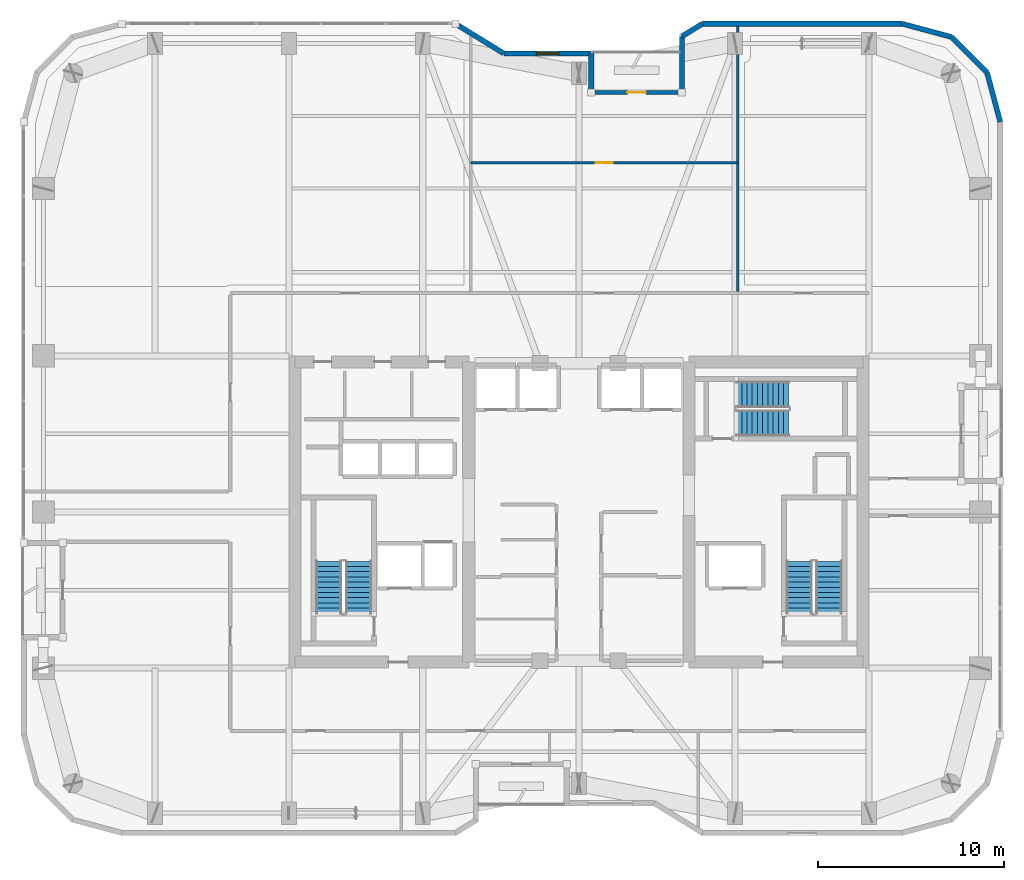
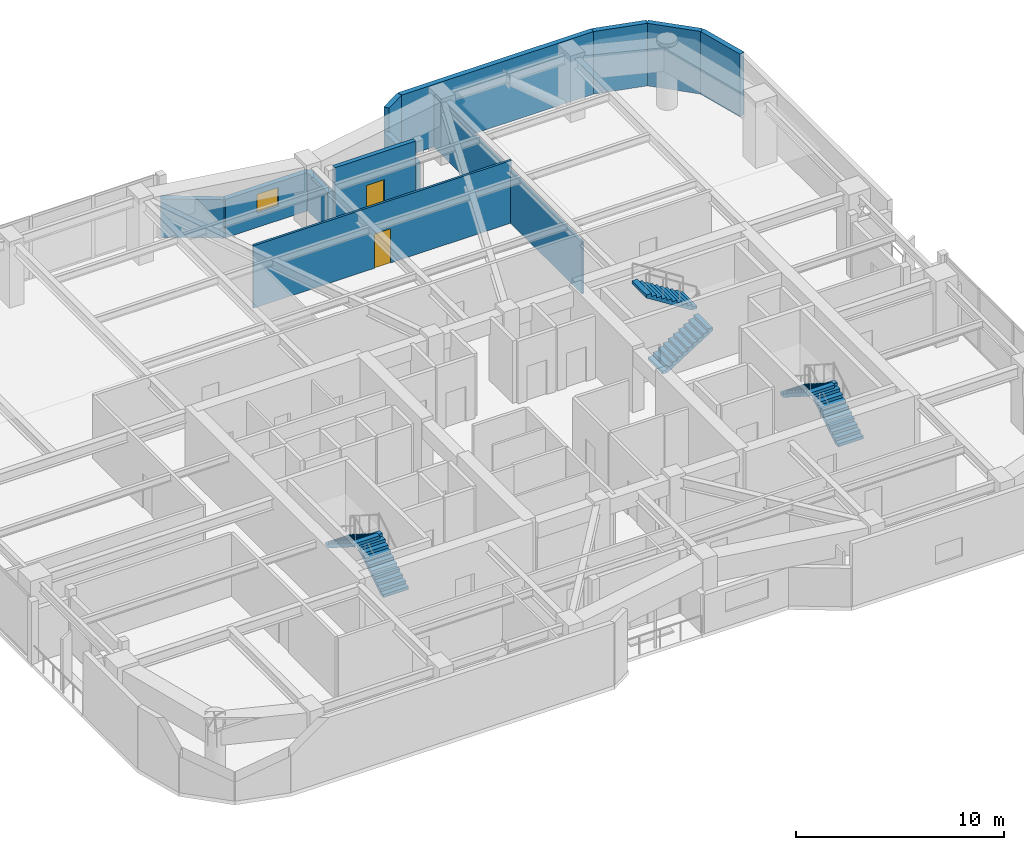
# One storey, part 27 of 30: 12 walls, 6 stair flights, 2 doors, 1 window, 3 openings, 3 elements without a shape of their own.
"""IFC4 building model written with IfcOpenShell, lengths in metres."""

from ifc_helpers import new_model, si_unit, direction, frame, frame_2d, origin, place, context, subcontext, project, spatial, polyline, rectangle, outline, extrude, material, layer, layer_set, type_object, element, fill, aggregate, save


model = new_model("IFC4")

# Units and contexts
model_context = context("Model", 3, precision=1e-05, world=origin(), true_north=direction((0.0, 1.0)))
body_context = subcontext(model_context, "Body", "Model", "MODEL_VIEW")
ifc_project = project(units=[si_unit("LENGTHUNIT", "METRE"), si_unit("AREAUNIT", "SQUARE_METRE"), si_unit("VOLUMEUNIT", "CUBIC_METRE"), si_unit("PLANEANGLEUNIT", "RADIAN"), si_unit("MASSUNIT", "GRAM", prefix="KILO")], contexts=[model_context])

# Site, building, storey
site_placement = place(None, origin())
site = spatial("IfcSite", under=ifc_project, at=site_placement, CompositionType="ELEMENT")
building_placement = place(site_placement, origin())
building = spatial("IfcBuilding", under=site, at=building_placement, Name="Kiyonajd Concourse Tower", CompositionType="ELEMENT")
storey_placement = place(building_placement, frame((0.0, 0.0, 198.0)))
storey = spatial("IfcBuildingStorey", under=building, at=storey_placement, Name="L50", CompositionType="ELEMENT", Elevation=198.0)

# Wall
ifc_material_1 = material(Name="Precast concrete C50/60", Category="concrete")
ifc_layer_1 = layer(ifc_material_1, 0.280029296875)
ifc_layer_set_1 = layer_set([ifc_layer_1], Name="Precast concrete C50/60")
wall_type_1 = type_object("IfcWallType", Name="WL-EXT-280", PredefinedType="SOLIDWALL", material=ifc_layer_set_1)
wall_1_placement = place(storey_placement, frame((41.3603515625, 62.260009765625, 0.0), z_axis=(0.0, 0.0, 1.0), x_axis=(0.851652825334, -0.524106349037, 0.0)))
element("IfcWall", 1, at=wall_1_placement, inside=storey, type_object=wall_type_1, Name="L50 Exterior Concrete Frame Wall 10", PredefinedType="SOLIDWALL", context=body_context, shape_type="SweptSolid", body=[
    extrude(rectangle(XDim=3.052978515625, YDim=0.280029296875, at=frame_2d((1.5263671875, 0.0))), origin(), (0.0, 0.0, 1.0), 2.264892578125),
])

# Wall, opening, window
wall_2_placement = place(storey_placement, frame((43.96044921875, 60.659912109375, 0.0), z_axis=(0.0, 0.0, 1.0), x_axis=(1.0, 0.0, 0.0)))
wall_2 = element("IfcWall", 2, at=wall_2_placement, inside=storey, type_object=wall_type_1, Name="L50 Exterior Concrete Frame Wall 11", PredefinedType="SOLIDWALL", context=body_context, shape_type="SweptSolid", body=[
    extrude(rectangle(XDim=4.699462890625, YDim=0.280029296875, at=frame_2d((2.349609375, 0.0))), origin(), (0.0, 0.0, 1.0), 2.264892578125),
])
opening_1_placement = place(wall_2_placement, frame((1.75, 0.0, 0.85009765625)))
opening_1 = element("IfcOpeningElement", 3, at=opening_1_placement, cuts=wall_2, Name="Opening WN3", PredefinedType="OPENING", context=body_context, shape_type="SweptSolid", body=[
    extrude(rectangle(XDim=1.199951171875, YDim=1.10009765625, at=frame_2d((0.60009765625, 0.550048828125))), frame((0.0, 0.14990234375, 0.0), z_axis=(0.0, -1.0, 0.0), x_axis=(1.0, 0.0, 0.0)), (0.0, 0.0, 1.0), 0.300048828125),
])
ifc_material_2 = material(Name="Double Low-E Insulated Glass", Category="glass")
window_type = type_object("IfcWindowType", Name="WN-VIS-1200x1100", PartitioningType="SINGLE_PANEL", PredefinedType="WINDOW", material=ifc_material_2)
window_placement = place(opening_1_placement, origin())
window = element("IfcWindow", 4, at=window_placement, inside=storey, type_object=window_type, Name="L50 Modular Facade Vision Window 11", OverallHeight=1.10009765625, OverallWidth=1.199951171875, PartitioningType="SINGLE_PANEL", PredefinedType="WINDOW", context=body_context, shape_type="SweptSolid", body=[
    extrude(rectangle(XDim=1.199951171875, YDim=1.10009765625, at=frame_2d((0.60009765625, 0.550048828125))), frame((0.0, 0.030029296875, 0.0), z_axis=(0.0, -1.0, 0.0), x_axis=(1.0, 0.0, 0.0)), (0.0, 0.0, 1.0), 0.06005859375),
])
fill(opening_1, window)

# Walls
wall_3_placement = place(storey_placement, frame((48.659912109375, 60.659912109375, 0.0), z_axis=(0.0, 0.0, 1.0), x_axis=(0.0, -1.0, 0.0)))
element("IfcWall", 5, at=wall_3_placement, inside=storey, type_object=wall_type_1, Name="L50 Exterior Concrete Frame Wall 12", PredefinedType="SOLIDWALL", context=body_context, shape_type="SweptSolid", body=[
    extrude(rectangle(XDim=2.099853515625, YDim=0.280029296875, at=frame_2d((1.0498046875, 0.0))), origin(), (0.0, 0.0, 1.0), 2.264892578125),
])
wall_4_placement = place(storey_placement, frame((53.5400390625, 58.56005859375, 0.0), z_axis=(0.0, 0.0, 1.0), x_axis=(0.0, 1.0, 0.0)))
element("IfcWall", 6, at=wall_4_placement, inside=storey, type_object=wall_type_1, Name="L50 Exterior Concrete Frame Wall 14", PredefinedType="SOLIDWALL", context=body_context, shape_type="SweptSolid", body=[
    extrude(rectangle(XDim=3.023681640625, YDim=0.280029296875, at=frame_2d((1.51171875, 0.0))), origin(), (0.0, 0.0, 1.0), 2.264892578125),
])
wall_5_placement = place(storey_placement, frame((53.5400390625, 61.583740234375, 0.0), z_axis=(0.0, 0.0, 1.0), x_axis=(0.851801140441, 0.523865266212, 0.0)))
element("IfcWall", 7, at=wall_5_placement, inside=storey, type_object=wall_type_1, Name="L50 Exterior Concrete Frame Wall 15", PredefinedType="SOLIDWALL", context=body_context, shape_type="SweptSolid", body=[
    extrude(rectangle(XDim=1.291015625, YDim=0.280029296875, at=frame_2d((0.6455078125, 0.0))), origin(), (0.0, 0.0, 1.0), 3.679931640625),
])
wall_6_placement = place(storey_placement, frame((54.6396484375, 62.260009765625, 0.0), z_axis=(0.0, 0.0, 1.0), x_axis=(1.0, 0.0, 0.0)))
element("IfcWall", 8, at=wall_6_placement, inside=storey, type_object=wall_type_1, Name="L50 Exterior Concrete Frame Wall 16", PredefinedType="SOLIDWALL", context=body_context, shape_type="SweptSolid", body=[
    extrude(rectangle(XDim=10.741943359375, YDim=0.280029296875, at=frame_2d((5.37109375, 0.0))), origin(), (0.0, 0.0, 1.0), 3.679931640625),
])
wall_7_placement = place(storey_placement, frame((65.381591796875, 62.260009765625, 0.0), z_axis=(0.0, 0.0, 1.0), x_axis=(0.965971118627, -0.258649952598, 0.0)))
element("IfcWall", 9, at=wall_7_placement, inside=storey, type_object=wall_type_1, Name="L50 Exterior Concrete Frame Wall 17", PredefinedType="SOLIDWALL", context=body_context, shape_type="SweptSolid", body=[
    extrude(rectangle(XDim=2.7392578125, YDim=0.280029296875, at=frame_2d((1.36962890625, 0.0))), origin(), (0.0, 0.0, 1.0), 3.679931640625),
])
wall_8_placement = place(storey_placement, frame((68.027587890625, 61.551513671875, 0.0), z_axis=(0.0, 0.0, 1.0), x_axis=(0.707061915429, -0.707151644098, 0.0)))
element("IfcWall", 10, at=wall_8_placement, inside=storey, type_object=wall_type_1, Name="L50 Exterior Concrete Frame Wall 18", PredefinedType="SOLIDWALL", context=body_context, shape_type="SweptSolid", body=[
    extrude(rectangle(XDim=2.720947265625, YDim=0.280029296875, at=frame_2d((1.3603515625, 0.0))), origin(), (0.0, 0.0, 1.0), 3.679931640625),
])
wall_9_placement = place(storey_placement, frame((69.951416015625, 59.62744140625, 0.0), z_axis=(0.0, 0.0, 1.0), x_axis=(0.258672222976, -0.9659651552, 0.0)))
element("IfcWall", 11, at=wall_9_placement, inside=storey, type_object=wall_type_1, Name="L50 Exterior Concrete Frame Wall 19", PredefinedType="SOLIDWALL", context=body_context, shape_type="SweptSolid", body=[
    extrude(rectangle(XDim=2.739013671875, YDim=0.280029296875, at=frame_2d((1.36962890625, 0.0))), origin(), (0.0, 0.0, 1.0), 3.679931640625),
])

# Wall, opening, door
ifc_layer_2 = layer(ifc_material_1, 0.239990234375)
ifc_layer_set_2 = layer_set([ifc_layer_2], Name="Precast concrete C50/60")
wall_type_2 = type_object("IfcWallType", Name="WL-LOG-240", PredefinedType="SOLIDWALL", material=ifc_layer_set_2)
wall_10_placement = place(storey_placement, frame((48.85498046875, 58.56005859375, 0.0), z_axis=(0.0, 0.0, 1.0), x_axis=(1.0, 0.0, 0.0)))
wall_10 = element("IfcWall", 12, at=wall_10_placement, inside=storey, type_object=wall_type_2, Name="L50 Recessed Loggia Thermal Wall LOG-N", PredefinedType="SOLIDWALL", context=body_context, shape_type="SweptSolid", body=[
    extrude(rectangle(XDim=4.489990234375, YDim=0.239990234375, at=frame_2d((2.2451171875, 0.0))), origin(), (0.0, 0.0, 1.0), 3.679931640625),
])
opening_2_placement = place(wall_10_placement, frame((1.7451171875, 0.0, 0.0)))
opening_2 = element("IfcOpeningElement", 13, at=opening_2_placement, cuts=wall_10, Name="Opening DL1", PredefinedType="OPENING", context=body_context, shape_type="SweptSolid", body=[
    extrude(rectangle(XDim=1.0, YDim=2.02001953125, at=frame_2d((0.5, 1.010009765625))), frame((0.0, 0.1298828125, 0.0), z_axis=(0.0, -1.0, 0.0), x_axis=(1.0, 0.0, 0.0)), (0.0, 0.0, 1.0), 0.260009765625),
])
ifc_material_3 = material(Name="Thermally Broken Anodised Aluminium", Category="aluminium")
door_type_1 = type_object("IfcDoorType", Name="DR-LOG-1000", OperationType="NOTDEFINED", PredefinedType="DOOR", material=ifc_material_3)
door_1_placement = place(opening_2_placement, origin())
door_1 = element("IfcDoor", 14, at=door_1_placement, inside=storey, type_object=door_type_1, Name="L50 Engawa Loggia Access Door LOG-N", OperationType="SINGLE_SWING_RIGHT", OverallHeight=2.02001953125, OverallWidth=1.0, PredefinedType="DOOR", context=body_context, shape_type="SweptSolid", body=[
    extrude(rectangle(XDim=1.0, YDim=2.02001953125, at=frame_2d((0.5, 1.010009765625))), frame((0.0, 0.02490234375, 0.0), z_axis=(0.0, -1.0, 0.0), x_axis=(1.0, 0.0, 0.0)), (0.0, 0.0, 1.0), 0.050048828125),
])
fill(opening_2, door_1)

ifc_material_4 = material(Name="Gypsum Board on Cold-Formed Steel Stud", Category="steel")
ifc_layer_3 = layer(ifc_material_4, 0.125)
ifc_layer_set_3 = layer_set([ifc_layer_3], Name="Gypsum Board on Cold-Formed Steel Stud")
wall_type_3 = type_object("IfcWallType", Name="WL-PART-125", PredefinedType="PARTITIONING", material=ifc_layer_set_3)
wall_11_placement = place(storey_placement, frame((42.179931640625, 54.7900390625, 0.0), z_axis=(0.0, 0.0, 1.0), x_axis=(1.0, 0.0, 0.0)))
wall_11 = element("IfcWall", 15, at=wall_11_placement, inside=storey, type_object=wall_type_3, Name="L50 Interior Partition Wall", PredefinedType="PARTITIONING", context=body_context, shape_type="SweptSolid", body=[
    extrude(rectangle(XDim=14.360107421875, YDim=0.125, at=frame_2d((7.18017578125, 0.0))), origin(), (0.0, 0.0, 1.0), 3.679931640625),
])
opening_3_placement = place(wall_11_placement, frame((6.72998046875, 0.0, 0.0)))
opening_3 = element("IfcOpeningElement", 16, at=opening_3_placement, cuts=wall_11, Name="Opening DI2", PredefinedType="OPENING", context=body_context, shape_type="SweptSolid", body=[
    extrude(rectangle(XDim=0.89990234375, YDim=2.02001953125, at=frame_2d((0.449951171875, 1.010009765625))), frame((0.0, 0.072509765625, 0.0), z_axis=(0.0, -1.0, 0.0), x_axis=(1.0, 0.0, 0.0)), (0.0, 0.0, 1.0), 0.14501953125),
])
ifc_material_5 = material(Name="Natural Oak Acoustic Timber Veneer", Category="wood")
door_type_2 = type_object("IfcDoorType", Name="DR-INT-900", OperationType="NOTDEFINED", PredefinedType="DOOR", material=ifc_material_5)
door_2_placement = place(opening_3_placement, origin())
door_2 = element("IfcDoor", 17, at=door_2_placement, inside=storey, type_object=door_type_2, Name="L50 Interior Door", OperationType="SINGLE_SWING_LEFT", OverallHeight=2.02001953125, OverallWidth=0.89990234375, PredefinedType="DOOR", context=body_context, shape_type="SweptSolid", body=[
    extrude(rectangle(XDim=0.89990234375, YDim=2.02001953125, at=frame_2d((0.449951171875, 1.010009765625))), frame((0.0, 0.02490234375, 0.0), z_axis=(0.0, -1.0, 0.0), x_axis=(1.0, 0.0, 0.0)), (0.0, 0.0, 1.0), 0.050048828125),
])
fill(opening_3, door_2)

# Wall
wall_12_placement = place(storey_placement, frame((56.5400390625, 47.85693359375, 0.0), z_axis=(0.0, 0.0, 1.0), x_axis=(0.0, 1.0, 0.0)))
element("IfcWall", 18, at=wall_12_placement, inside=storey, type_object=wall_type_3, Name="L50 Interior Partition Wall", PredefinedType="PARTITIONING", context=body_context, shape_type="SweptSolid", body=[
    extrude(rectangle(XDim=14.26806640625, YDim=0.125, at=frame_2d((7.134033203125, 0.0))), origin(), (0.0, 0.0, 1.0), 3.04296875),
])

# Stair, stair flights
ifc_material_6 = material(Name="Concrete C40/50", Category="concrete")
stair_type = type_object("IfcStairType", Name="ST-DLG-22R", PredefinedType="HALF_TURN_STAIR", material=ifc_material_6)
stair_1_placement = place(storey_placement, origin())
stair_1 = element("IfcStair", 19, at=stair_1_placement, inside=storey, type_object=stair_type, Name="L50 Protected Exit Stair ST1", PredefinedType="HALF_TURN_STAIR")
stair_flight_type = type_object("IfcStairFlightType", Name="SF-STR-22R", PredefinedType="STRAIGHT", material=ifc_material_6)
stair_flight_1_placement = place(storey_placement, frame((36.14990234375, 30.550048828125, 0.0), z_axis=(0.0, 0.0, 1.0), x_axis=(0.0, 1.0, 0.0)))
stair_flight_1 = element("IfcStairFlight", 20, at=stair_flight_1_placement, type_object=stair_flight_type, Name="ST1 flight 1", NumberOfRisers=11, NumberOfTreads=10, PredefinedType="STRAIGHT", RiserHeight=0.177272727, TreadLength=0.28, context=body_context, shape_type="SweptSolid", body=[
    extrude(outline(polyline([(0.0, 0.0), (0.0, 0.17724609375), (0.280029296875, 0.17724609375), (0.280029296875, 0.3544921875), (0.56005859375, 0.3544921875), (0.56005859375, 0.53173828125), (0.840087890625, 0.53173828125), (0.840087890625, 0.708984375), (1.1201171875, 0.708984375), (1.1201171875, 0.886474609375), (1.39990234375, 0.886474609375), (1.39990234375, 1.063720703125), (1.679931640625, 1.063720703125), (1.679931640625, 1.240966796875), (1.9599609375, 1.240966796875), (1.9599609375, 1.418212890625), (2.239990234375, 1.418212890625), (2.239990234375, 1.595458984375), (2.52001953125, 1.595458984375), (2.52001953125, 1.772705078125), (2.800048828125, 1.772705078125), (2.800048828125, 1.949951171875), (2.800048828125, 1.59521484375), (0.2802734375, 0.0), (0.0, 0.0)])), frame((0.0, 0.699951171875, 0.0), z_axis=(0.0, -1.0, 0.0), x_axis=(1.0, 0.0, 0.0)), (0.0, 0.0, 1.0), 1.39990234375),
])
stair_flight_2_placement = place(storey_placement, frame((34.550048828125, 33.35009765625, 1.949951171875), z_axis=(0.0, 0.0, 1.0), x_axis=(0.0, -1.0, 0.0)))
stair_flight_2 = element("IfcStairFlight", 21, at=stair_flight_2_placement, type_object=stair_flight_type, Name="ST1 flight 2", NumberOfRisers=11, NumberOfTreads=10, PredefinedType="STRAIGHT", RiserHeight=0.177272727, TreadLength=0.28, context=body_context, shape_type="SweptSolid", body=[
    extrude(outline(polyline([(0.0, 0.0), (0.0, 0.17724609375), (0.280029296875, 0.17724609375), (0.280029296875, 0.3544921875), (0.56005859375, 0.3544921875), (0.56005859375, 0.53173828125), (0.840087890625, 0.53173828125), (0.840087890625, 0.708984375), (1.1201171875, 0.708984375), (1.1201171875, 0.886474609375), (1.39990234375, 0.886474609375), (1.39990234375, 1.063720703125), (1.679931640625, 1.063720703125), (1.679931640625, 1.240966796875), (1.9599609375, 1.240966796875), (1.9599609375, 1.418212890625), (2.239990234375, 1.418212890625), (2.239990234375, 1.595458984375), (2.52001953125, 1.595458984375), (2.52001953125, 1.772705078125), (2.800048828125, 1.772705078125), (2.800048828125, 1.949951171875), (2.800048828125, 1.59521484375), (0.2802734375, 0.0), (0.0, 0.0)])), frame((0.0, 0.699951171875, 0.0), z_axis=(0.0, -1.0, 0.0), x_axis=(1.0, 0.0, 0.0)), (0.0, 0.0, 1.0), 1.39990234375),
])
aggregate(stair_1, [stair_flight_1, stair_flight_2])

stair_2_placement = place(storey_placement, origin())
stair_2 = element("IfcStair", 22, at=stair_2_placement, inside=storey, type_object=stair_type, Name="L50 Protected Exit Stair ST2", PredefinedType="HALF_TURN_STAIR")
stair_flight_3_placement = place(storey_placement, frame((61.449951171875, 30.550048828125, 0.0), z_axis=(0.0, 0.0, 1.0), x_axis=(0.0, 1.0, 0.0)))
stair_flight_3 = element("IfcStairFlight", 23, at=stair_flight_3_placement, type_object=stair_flight_type, Name="ST2 flight 1", NumberOfRisers=11, NumberOfTreads=10, PredefinedType="STRAIGHT", RiserHeight=0.177272727, TreadLength=0.28, context=body_context, shape_type="SweptSolid", body=[
    extrude(outline(polyline([(0.0, 0.0), (0.0, 0.17724609375), (0.280029296875, 0.17724609375), (0.280029296875, 0.3544921875), (0.56005859375, 0.3544921875), (0.56005859375, 0.53173828125), (0.840087890625, 0.53173828125), (0.840087890625, 0.708984375), (1.1201171875, 0.708984375), (1.1201171875, 0.886474609375), (1.39990234375, 0.886474609375), (1.39990234375, 1.063720703125), (1.679931640625, 1.063720703125), (1.679931640625, 1.240966796875), (1.9599609375, 1.240966796875), (1.9599609375, 1.418212890625), (2.239990234375, 1.418212890625), (2.239990234375, 1.595458984375), (2.52001953125, 1.595458984375), (2.52001953125, 1.772705078125), (2.800048828125, 1.772705078125), (2.800048828125, 1.949951171875), (2.800048828125, 1.59521484375), (0.2802734375, 0.0), (0.0, 0.0)])), frame((0.0, 0.699951171875, 0.0), z_axis=(0.0, -1.0, 0.0), x_axis=(1.0, 0.0, 0.0)), (0.0, 0.0, 1.0), 1.39990234375),
])
stair_flight_4_placement = place(storey_placement, frame((59.85009765625, 33.35009765625, 1.949951171875), z_axis=(0.0, 0.0, 1.0), x_axis=(0.0, -1.0, 0.0)))
stair_flight_4 = element("IfcStairFlight", 24, at=stair_flight_4_placement, type_object=stair_flight_type, Name="ST2 flight 2", NumberOfRisers=11, NumberOfTreads=10, PredefinedType="STRAIGHT", RiserHeight=0.177272727, TreadLength=0.28, context=body_context, shape_type="SweptSolid", body=[
    extrude(outline(polyline([(0.0, 0.0), (0.0, 0.17724609375), (0.280029296875, 0.17724609375), (0.280029296875, 0.3544921875), (0.56005859375, 0.3544921875), (0.56005859375, 0.53173828125), (0.840087890625, 0.53173828125), (0.840087890625, 0.708984375), (1.1201171875, 0.708984375), (1.1201171875, 0.886474609375), (1.39990234375, 0.886474609375), (1.39990234375, 1.063720703125), (1.679931640625, 1.063720703125), (1.679931640625, 1.240966796875), (1.9599609375, 1.240966796875), (1.9599609375, 1.418212890625), (2.239990234375, 1.418212890625), (2.239990234375, 1.595458984375), (2.52001953125, 1.595458984375), (2.52001953125, 1.772705078125), (2.800048828125, 1.772705078125), (2.800048828125, 1.949951171875), (2.800048828125, 1.59521484375), (0.2802734375, 0.0), (0.0, 0.0)])), frame((0.0, 0.699951171875, 0.0), z_axis=(0.0, -1.0, 0.0), x_axis=(1.0, 0.0, 0.0)), (0.0, 0.0, 1.0), 1.39990234375),
])
aggregate(stair_2, [stair_flight_3, stair_flight_4])

stair_3_placement = place(storey_placement, origin())
stair_3 = element("IfcStair", 25, at=stair_3_placement, inside=storey, type_object=stair_type, Name="L50 Protected Exit Stair ST3", PredefinedType="HALF_TURN_STAIR")
stair_flight_5_placement = place(storey_placement, frame((56.47998046875, 40.780029296875, 0.0), z_axis=(0.0, 0.0, 1.0), x_axis=(1.0, 0.0, 0.0)))
stair_flight_5 = element("IfcStairFlight", 26, at=stair_flight_5_placement, type_object=stair_flight_type, Name="ST3 flight 1", NumberOfRisers=11, NumberOfTreads=10, PredefinedType="STRAIGHT", RiserHeight=0.177272727, TreadLength=0.28, context=body_context, shape_type="SweptSolid", body=[
    extrude(outline(polyline([(0.0, 0.0), (0.0, 0.17724609375), (0.280029296875, 0.17724609375), (0.280029296875, 0.3544921875), (0.56005859375, 0.3544921875), (0.56005859375, 0.53173828125), (0.840087890625, 0.53173828125), (0.840087890625, 0.708984375), (1.1201171875, 0.708984375), (1.1201171875, 0.886474609375), (1.39990234375, 0.886474609375), (1.39990234375, 1.063720703125), (1.679931640625, 1.063720703125), (1.679931640625, 1.240966796875), (1.9599609375, 1.240966796875), (1.9599609375, 1.418212890625), (2.239990234375, 1.418212890625), (2.239990234375, 1.595458984375), (2.52001953125, 1.595458984375), (2.52001953125, 1.772705078125), (2.800048828125, 1.772705078125), (2.800048828125, 1.949951171875), (2.800048828125, 1.59521484375), (0.2802734375, 0.0), (0.0, 0.0)])), frame((0.0, 0.699951171875, 0.0), z_axis=(0.0, -1.0, 0.0), x_axis=(1.0, 0.0, 0.0)), (0.0, 0.0, 1.0), 1.39990234375),
])
stair_flight_6_placement = place(storey_placement, frame((59.280029296875, 42.320068359375, 1.949951171875), z_axis=(0.0, 0.0, 1.0), x_axis=(-1.0, 0.0, 0.0)))
stair_flight_6 = element("IfcStairFlight", 27, at=stair_flight_6_placement, type_object=stair_flight_type, Name="ST3 flight 2", NumberOfRisers=11, NumberOfTreads=10, PredefinedType="STRAIGHT", RiserHeight=0.177272727, TreadLength=0.28, context=body_context, shape_type="SweptSolid", body=[
    extrude(outline(polyline([(0.0, 0.0), (0.0, 0.17724609375), (0.280029296875, 0.17724609375), (0.280029296875, 0.3544921875), (0.56005859375, 0.3544921875), (0.56005859375, 0.53173828125), (0.840087890625, 0.53173828125), (0.840087890625, 0.708984375), (1.1201171875, 0.708984375), (1.1201171875, 0.886474609375), (1.39990234375, 0.886474609375), (1.39990234375, 1.063720703125), (1.679931640625, 1.063720703125), (1.679931640625, 1.240966796875), (1.9599609375, 1.240966796875), (1.9599609375, 1.418212890625), (2.239990234375, 1.418212890625), (2.239990234375, 1.595458984375), (2.52001953125, 1.595458984375), (2.52001953125, 1.772705078125), (2.800048828125, 1.772705078125), (2.800048828125, 1.949951171875), (2.800048828125, 1.59521484375), (0.2802734375, 0.0), (0.0, 0.0)])), frame((0.0, 0.699951171875, 0.0), z_axis=(0.0, -1.0, 0.0), x_axis=(1.0, 0.0, 0.0)), (0.0, 0.0, 1.0), 1.39990234375),
])
aggregate(stair_3, [stair_flight_5, stair_flight_6])

save(model, "model.ifc")
